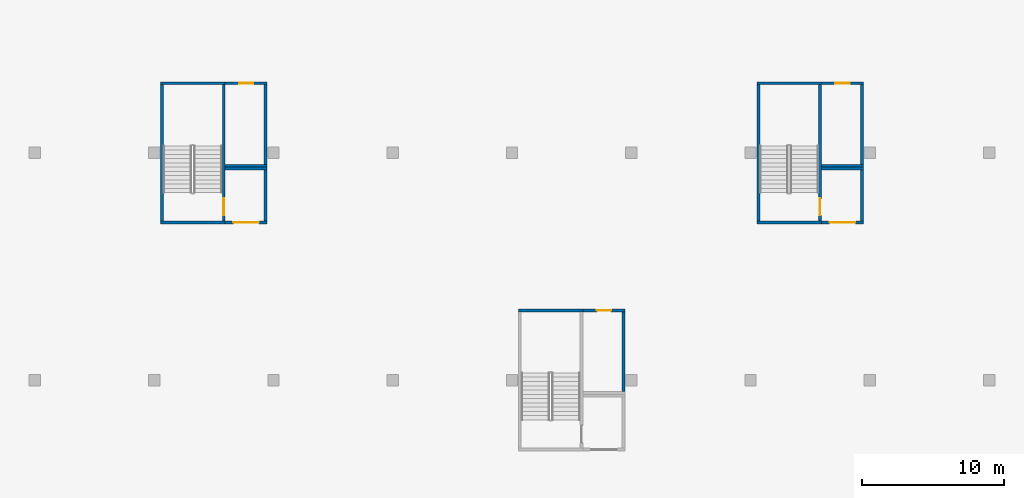
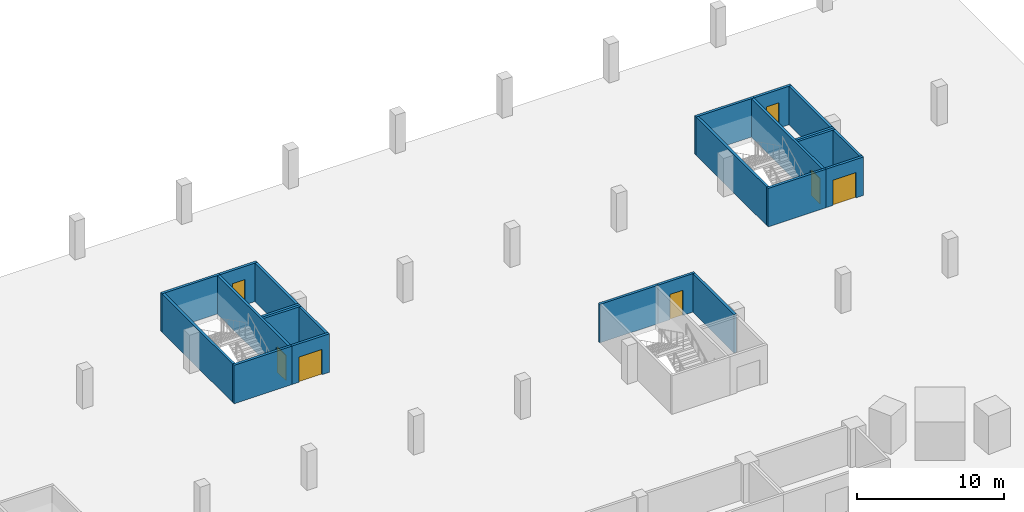
# One storey, part 16 of 37: 23 walls, 7 doors, 7 openings.
"""IFC4 building model written with IfcOpenShell, lengths in metres."""

import ifcopenshell
import ifcopenshell.guid

model = None  # the IFC model being written
_history = None  # IfcOwnerHistory: only IFC2X3 demands one
_inside = {}  # id of a spatial element -> (the spatial element, [elements in it])
_under = {}  # id of a project, library or spatial element -> (it, [spatial elements below it])
_declared = {}  # id of a project -> (the project, [libraries it declares])
_typed = {}  # id of a type object -> (the type object, [elements of that type])
_made_of = {}  # id of a material, layer set ... -> (it, [elements and type objects made of it])


def new_model(schema):
    """Start an empty IFC model of exactly this schema.

    Asked for "IFC4X3", IfcOpenShell would pick the latest addendum, in which some entities
    have other attributes; the version numbers below select the first issue.
    IFC2X3 requires an IfcOwnerHistory on every rooted entity: one is made here for all.
    """
    global model, _history
    if schema == "IFC4X3":
        model = ifcopenshell.file(schema_version=(4, 3, 0, 0))
    else:
        model = ifcopenshell.file(schema=schema)
    _inside.clear()
    _under.clear()
    _declared.clear()
    _typed.clear()
    _made_of.clear()
    _history = None
    if model.schema == "IFC2X3":
        org = make("IfcOrganization", Name="unknown")
        user = make(
            "IfcPersonAndOrganization",
            ThePerson=make("IfcPerson", FamilyName="unknown"),
            TheOrganization=org,
        )
        app = make(
            "IfcApplication",
            ApplicationDeveloper=org,
            Version="unknown",
            ApplicationFullName="unknown",
            ApplicationIdentifier="unknown",
        )
        _history = make(
            "IfcOwnerHistory",
            OwningUser=user,
            OwningApplication=app,
            ChangeAction="ADDED",
            CreationDate=0,
        )
    return model


def make(cls, **values):
    """One entity of the class cls with the attributes given. An attribute that is None is left unset."""
    return model.create_entity(
        cls, **{name: value for name, value in values.items() if value is not None}
    )


def rooted(cls, **values):
    """An entity with a GlobalId (a new one), such as an element, a storey or a relation."""
    return make(cls, GlobalId=ifcopenshell.guid.new(), OwnerHistory=_history, **values)


def si_unit(unit_type, name, prefix=None):
    """IfcSIUnit, for example si_unit("LENGTHUNIT", "METRE", prefix="MILLI")."""
    return make("IfcSIUnit", UnitType=unit_type, Prefix=prefix, Name=name)


def assignment(units):
    """IfcUnitAssignment: the units of a project."""
    return None if units is None else make("IfcUnitAssignment", Units=units)


def point(xyz):
    """IfcCartesianPoint."""
    return None if xyz is None else make("IfcCartesianPoint", Coordinates=xyz)


def direction(xyz):
    """IfcDirection."""
    return None if xyz is None else make("IfcDirection", DirectionRatios=xyz)


def frame(location, z_axis=None, x_axis=None):
    """IfcAxis2Placement3D, a coordinate frame: its origin and axes. An axis left out is left unset."""
    return make(
        "IfcAxis2Placement3D",
        Location=point(location),
        Axis=direction(z_axis),
        RefDirection=direction(x_axis),
    )


def frame_2d(location, x_axis=None):
    """IfcAxis2Placement2D, a coordinate frame in the plane: its origin and x axis."""
    return make(
        "IfcAxis2Placement2D", Location=point(location), RefDirection=direction(x_axis)
    )


def origin():
    """The frame at (0, 0, 0) with its axes left unset."""
    return frame((0.0, 0.0, 0.0))


def place(relative_to, where):
    """IfcLocalPlacement: puts the frame where relative to a parent placement (None: the world)."""
    return make(
        "IfcLocalPlacement", PlacementRelTo=relative_to, RelativePlacement=where
    )


def context(
    kind, dimensions, precision=None, world=None, true_north=None, identifier=None
):
    """IfcGeometricRepresentationContext, for example the 3D "Model" context."""
    return make(
        "IfcGeometricRepresentationContext",
        ContextIdentifier=identifier,
        ContextType=kind,
        CoordinateSpaceDimension=dimensions,
        Precision=precision,
        WorldCoordinateSystem=world,
        TrueNorth=true_north,
    )


def subcontext(parent, identifier, kind, view, scale=None):
    """IfcGeometricRepresentationSubContext, for example "Body" below "Model"."""
    return make(
        "IfcGeometricRepresentationSubContext",
        ContextIdentifier=identifier,
        ContextType=kind,
        ParentContext=parent,
        TargetScale=scale,
        TargetView=view,
    )


def project(units=None, contexts=None):
    """IfcProject with its units and contexts."""
    return rooted(
        "IfcProject",
        Name="project",
        RepresentationContexts=contexts,
        UnitsInContext=assignment(units),
    )


def spatial(cls, under=None, at=None, **own):
    """A site, building, storey or space (cls), placed at a placement, below another one or the project."""
    s = rooted(cls, ObjectPlacement=at, **own)
    if under is not None:
        _under.setdefault(under.id(), (under, []))[1].append(s)
    return s


def profile(cls, at=None, kind="AREA", **sizes):
    """A parametric profile (cls). Its sizes go by their IFC names, for example OverallWidth=200.0."""
    return make(cls, ProfileType=kind, Position=at, **sizes)


def rectangle(**sizes):
    """IfcRectangleProfileDef."""
    return profile("IfcRectangleProfileDef", **sizes)


def extrude(swept, where, along, depth):
    """IfcExtrudedAreaSolid: the profile swept, set in the frame where, extruded along a direction by depth."""
    return make(
        "IfcExtrudedAreaSolid",
        SweptArea=swept,
        Position=where,
        ExtrudedDirection=direction(along),
        Depth=depth,
    )


def shape(context_of_items, identifier, shape_type, items):
    """IfcShapeRepresentation: the items that make up one representation, for example the "Body"."""
    return make(
        "IfcShapeRepresentation",
        ContextOfItems=context_of_items,
        RepresentationIdentifier=identifier,
        RepresentationType=shape_type,
        Items=items,
    )


def material(Name=None, Category=None):
    """IfcMaterial."""
    return make("IfcMaterial", Name=Name, Category=Category)


def layer(
    of_material, thickness, ventilated=None, Name=None, Category=None, Priority=None
):
    """IfcMaterialLayer: one layer of a wall or slab, of a material (None: an air gap)."""
    return make(
        "IfcMaterialLayer",
        Material=of_material,
        LayerThickness=thickness,
        IsVentilated=ventilated,
        Name=Name,
        Category=Category,
        Priority=Priority,
    )


def layer_set(layers, Name=None):
    """IfcMaterialLayerSet."""
    return make("IfcMaterialLayerSet", MaterialLayers=layers, LayerSetName=Name)


def made_of(thing, what):
    """Note that an element or type object is made of a material, layer set ...; save() writes the relation."""
    if what is not None:
        _made_of.setdefault(what.id(), (what, []))[1].append(thing)
    return thing


def type_object(cls, material=None, **own):
    """A type object (cls), such as IfcWallType, which elements share."""
    return made_of(rooted(cls, **own), material)


def element(
    cls,
    number,
    at=None,
    inside=None,
    cuts=None,
    type_object=None,
    material=None,
    context=None,
    identifier="Body",
    shape_type=None,
    held_by="IfcProductDefinitionShape",
    body=None,
    shapes=None,
    **own,
):
    """One element of the class cls, such as IfcWall. Its Tag is "e" and its number.

    at: its placement. inside: the storey or other place that contains it. cuts: it is an
    opening in that element (IfcRelVoidsElement). A single representation is given by context,
    identifier, shape_type and body (its items); several are given by shapes. held_by: the class
    of the entity that holds the representations. save() writes the other relations.
    """
    e = rooted(cls, Tag="e%d" % number, ObjectPlacement=at, **own)
    if body is not None:
        shapes = [shape(context, identifier, shape_type, body)]
    if shapes is not None:
        e.Representation = make(held_by, Representations=shapes)
    if inside is not None:
        _inside.setdefault(inside.id(), (inside, []))[1].append(e)
    if cuts is not None:
        rooted(
            "IfcRelVoidsElement", RelatingBuildingElement=cuts, RelatedOpeningElement=e
        )
    if type_object is not None:
        _typed.setdefault(type_object.id(), (type_object, []))[1].append(e)
    return made_of(e, material)


def fill(opening, filler):
    """IfcRelFillsElement: the door or window that sits in an opening."""
    return rooted(
        "IfcRelFillsElement",
        RelatingOpeningElement=opening,
        RelatedBuildingElement=filler,
    )


def aggregate(whole, parts):
    """IfcRelAggregates: a whole, such as a stair, and the parts it consists of."""
    return rooted("IfcRelAggregates", RelatingObject=whole, RelatedObjects=parts)


def save(model, path):
    """Write the relations noted so far, then the file.

    IfcRelAggregates (storeys below a building ...), IfcRelContainedInSpatialStructure (elements
    in a storey), IfcRelDefinesByType, IfcRelAssociatesMaterial and IfcRelDeclares: one each for
    every whole, place, type object, material and project.
    """
    for whole, parts in _under.values():
        aggregate(whole, parts)
    for where, things in _inside.values():
        rooted(
            "IfcRelContainedInSpatialStructure",
            RelatedElements=things,
            RelatingStructure=where,
        )
    for kind, things in _typed.values():
        rooted("IfcRelDefinesByType", RelatedObjects=things, RelatingType=kind)
    for what, things in _made_of.values():
        rooted("IfcRelAssociatesMaterial", RelatedObjects=things, RelatingMaterial=what)
    for by, libraries in _declared.values():
        rooted("IfcRelDeclares", RelatingContext=by, RelatedDefinitions=libraries)
    model.write(path)


model = new_model("IFC4")

# Units and contexts
model_context = context("Model", 3, precision=1e-05, world=origin(), true_north=direction((0.0, 1.0)))
body_context = subcontext(model_context, "Body", "Model", "MODEL_VIEW")
ifc_project = project(units=[si_unit("LENGTHUNIT", "METRE"), si_unit("AREAUNIT", "SQUARE_METRE"), si_unit("VOLUMEUNIT", "CUBIC_METRE"), si_unit("PLANEANGLEUNIT", "RADIAN"), si_unit("MASSUNIT", "GRAM", prefix="KILO")], contexts=[model_context])

# Site, building, storey
site_placement = place(None, origin())
site = spatial("IfcSite", under=ifc_project, at=site_placement, CompositionType="ELEMENT")
building_placement = place(site_placement, origin())
building = spatial("IfcBuilding", under=site, at=building_placement, Name="Tamra Quay Hotel Tower", CompositionType="ELEMENT")
storey_placement = place(building_placement, frame((0.0, 0.0, -7.199951171875)))
storey = spatial("IfcBuildingStorey", under=building, at=storey_placement, Name="B2", CompositionType="ELEMENT", Elevation=-7.199951171875)

# Wall, opening, door
ifc_material_1 = material(Name="Blockwork", Category="masonry")
ifc_layer_1 = layer(ifc_material_1, 0.199951171875)
ifc_layer_set_1 = layer_set([ifc_layer_1], Name="Car park room wall 200")
wall_type_1 = type_object("IfcWallType", Name="Car park room wall 200", PredefinedType="PARTITIONING", material=ifc_layer_set_1)
wall_1_placement = place(storey_placement, frame((-16.89990234375, 59.10009765625, 0.0), z_axis=(0.0, 0.0, 1.0), x_axis=(1.0, 0.0, 0.0)))
wall_1 = element("IfcWall", 1, at=wall_1_placement, inside=storey, type_object=wall_type_1, Name="PW", PredefinedType="PARTITIONING", context=body_context, shape_type="SweptSolid", body=[
    extrude(rectangle(XDim=2.949951171875, YDim=0.199951171875, at=frame_2d((1.47509765625, 0.0))), origin(), (0.0, 0.0, 1.0), 3.199951171875),
])
opening_1_placement = place(wall_1_placement, frame((0.574951171875, 0.0, 0.0)))
opening_1 = element("IfcOpeningElement", 2, at=opening_1_placement, cuts=wall_1, Name="Opening PD2", PredefinedType="OPENING", context=body_context, shape_type="SweptSolid", body=[
    extrude(rectangle(XDim=1.800048828125, YDim=2.10009765625, at=frame_2d((0.89990234375, 1.050048828125))), frame((0.0, 0.10986328125, 0.0), z_axis=(0.0, -1.0, 0.0), x_axis=(1.0, 0.0, 0.0)), (0.0, 0.0, 1.0), 0.219970703125),
])
ifc_material_2 = material(Name="Plant door 1800 x 2100")
door_type_1 = type_object("IfcDoorType", Name="Plant door 1800 x 2100", OperationType="DOUBLE_DOOR_SINGLE_SWING", PredefinedType="DOOR", material=ifc_material_2)
door_1_placement = place(opening_1_placement, origin())
door_1 = element("IfcDoor", 3, at=door_1_placement, inside=storey, type_object=door_type_1, Name="PD2", OperationType="DOUBLE_DOOR_SINGLE_SWING", OverallHeight=2.10009765625, OverallWidth=1.800048828125, PredefinedType="DOOR", context=body_context, shape_type="SweptSolid", body=[
    extrude(rectangle(XDim=1.800048828125, YDim=2.10009765625, at=frame_2d((0.89990234375, 1.050048828125))), frame((0.0, 0.02490234375, 0.0), z_axis=(0.0, -1.0, 0.0), x_axis=(1.0, 0.0, 0.0)), (0.0, 0.0, 1.0), 0.050048828125),
])
fill(opening_1, door_1)

# Walls
wall_2_placement = place(storey_placement, frame((-16.89990234375, 62.89990234375, 0.0), z_axis=(0.0, 0.0, 1.0), x_axis=(1.0, 0.0, 0.0)))
element("IfcWall", 4, at=wall_2_placement, inside=storey, type_object=wall_type_1, Name="PW", PredefinedType="PARTITIONING", context=body_context, shape_type="SweptSolid", body=[
    extrude(rectangle(XDim=2.949951171875, YDim=0.199951171875, at=frame_2d((1.47509765625, 0.0))), origin(), (0.0, 0.0, 1.0), 3.199951171875),
])
wall_3_placement = place(storey_placement, frame((-14.050048828125, 59.199951171875, 0.0), z_axis=(0.0, 0.0, 1.0), x_axis=(0.0, 1.0, 0.0)))
element("IfcWall", 5, at=wall_3_placement, inside=storey, type_object=wall_type_1, Name="PW", PredefinedType="PARTITIONING", context=body_context, shape_type="SweptSolid", body=[
    extrude(rectangle(XDim=3.60009765625, YDim=0.199951171875, at=frame_2d((1.800048828125, 0.0))), origin(), (0.0, 0.0, 1.0), 3.199951171875),
])
wall_4_placement = place(storey_placement, frame((-16.89990234375, 63.10009765625, 0.0), z_axis=(0.0, 0.0, 1.0), x_axis=(1.0, 0.0, 0.0)))
element("IfcWall", 6, at=wall_4_placement, inside=storey, type_object=wall_type_1, Name="PW", PredefinedType="PARTITIONING", context=body_context, shape_type="SweptSolid", body=[
    extrude(rectangle(XDim=2.949951171875, YDim=0.199951171875, at=frame_2d((1.47509765625, 0.0))), origin(), (0.0, 0.0, 1.0), 3.199951171875),
])

# Wall, opening, door
wall_5_placement = place(storey_placement, frame((-16.89990234375, 68.89990234375, 0.0), z_axis=(0.0, 0.0, 1.0), x_axis=(1.0, 0.0, 0.0)))
wall_5 = element("IfcWall", 7, at=wall_5_placement, inside=storey, type_object=wall_type_1, Name="PW", PredefinedType="PARTITIONING", context=body_context, shape_type="SweptSolid", body=[
    extrude(rectangle(XDim=2.949951171875, YDim=0.199951171875, at=frame_2d((1.47509765625, 0.0))), origin(), (0.0, 0.0, 1.0), 3.199951171875),
])
opening_2_placement = place(wall_5_placement, frame((0.97509765625, 0.0, 0.0)))
opening_2 = element("IfcOpeningElement", 8, at=opening_2_placement, cuts=wall_5, Name="Opening PD1", PredefinedType="OPENING", context=body_context, shape_type="SweptSolid", body=[
    extrude(rectangle(XDim=1.0, YDim=2.10009765625, at=frame_2d((0.5, 1.050048828125))), frame((0.0, 0.10986328125, 0.0), z_axis=(0.0, -1.0, 0.0), x_axis=(1.0, 0.0, 0.0)), (0.0, 0.0, 1.0), 0.219970703125),
])
ifc_material_3 = material(Name="Car park door 1000 x 2100")
door_type_2 = type_object("IfcDoorType", Name="Car park door 1000 x 2100", OperationType="NOTDEFINED", PredefinedType="DOOR", material=ifc_material_3)
door_2_placement = place(opening_2_placement, origin())
door_2 = element("IfcDoor", 9, at=door_2_placement, inside=storey, type_object=door_type_2, Name="PD1", OperationType="SINGLE_SWING_LEFT", OverallHeight=2.10009765625, OverallWidth=1.0, PredefinedType="DOOR", context=body_context, shape_type="SweptSolid", body=[
    extrude(rectangle(XDim=1.0, YDim=2.10009765625, at=frame_2d((0.5, 1.050048828125))), frame((0.0, 0.02490234375, 0.0), z_axis=(0.0, -1.0, 0.0), x_axis=(1.0, 0.0, 0.0)), (0.0, 0.0, 1.0), 0.050048828125),
])
fill(opening_2, door_2)

# Wall
wall_6_placement = place(storey_placement, frame((-14.050048828125, 63.199951171875, 0.0), z_axis=(0.0, 0.0, 1.0), x_axis=(0.0, 1.0, 0.0)))
element("IfcWall", 10, at=wall_6_placement, inside=storey, type_object=wall_type_1, Name="PW", PredefinedType="PARTITIONING", context=body_context, shape_type="SweptSolid", body=[
    extrude(rectangle(XDim=5.60009765625, YDim=0.199951171875, at=frame_2d((2.800048828125, 0.0))), origin(), (0.0, 0.0, 1.0), 3.199951171875),
])

# Wall, opening, door
wall_7_placement = place(storey_placement, frame((8.300048828125, 52.89990234375, 0.0), z_axis=(0.0, 0.0, 1.0), x_axis=(1.0, 0.0, 0.0)))
wall_7 = element("IfcWall", 11, at=wall_7_placement, inside=storey, type_object=wall_type_1, Name="PW", PredefinedType="PARTITIONING", context=body_context, shape_type="SweptSolid", body=[
    extrude(rectangle(XDim=2.949951171875, YDim=0.199951171875, at=frame_2d((1.47509765625, 0.0))), origin(), (0.0, 0.0, 1.0), 3.199951171875),
])
opening_3_placement = place(wall_7_placement, frame((0.97509765625, 0.0, 0.0)))
opening_3 = element("IfcOpeningElement", 12, at=opening_3_placement, cuts=wall_7, Name="Opening PD1", PredefinedType="OPENING", context=body_context, shape_type="SweptSolid", body=[
    extrude(rectangle(XDim=1.0, YDim=2.10009765625, at=frame_2d((0.5, 1.050048828125))), frame((0.0, 0.10986328125, 0.0), z_axis=(0.0, -1.0, 0.0), x_axis=(1.0, 0.0, 0.0)), (0.0, 0.0, 1.0), 0.219970703125),
])
door_3_placement = place(opening_3_placement, origin())
door_3 = element("IfcDoor", 13, at=door_3_placement, inside=storey, type_object=door_type_2, Name="PD1", OperationType="SINGLE_SWING_LEFT", OverallHeight=2.10009765625, OverallWidth=1.0, PredefinedType="DOOR", context=body_context, shape_type="SweptSolid", body=[
    extrude(rectangle(XDim=1.0, YDim=2.10009765625, at=frame_2d((0.5, 1.050048828125))), frame((0.0, 0.02490234375, 0.0), z_axis=(0.0, -1.0, 0.0), x_axis=(1.0, 0.0, 0.0)), (0.0, 0.0, 1.0), 0.050048828125),
])
fill(opening_3, door_3)

# Wall
wall_8_placement = place(storey_placement, frame((11.14990234375, 47.199951171875, 0.0), z_axis=(0.0, 0.0, 1.0), x_axis=(0.0, 1.0, 0.0)))
element("IfcWall", 14, at=wall_8_placement, inside=storey, type_object=wall_type_1, Name="PW", PredefinedType="PARTITIONING", context=body_context, shape_type="SweptSolid", body=[
    extrude(rectangle(XDim=5.60009765625, YDim=0.199951171875, at=frame_2d((2.800048828125, 0.0))), origin(), (0.0, 0.0, 1.0), 3.199951171875),
])

# Wall, opening, door
wall_9_placement = place(storey_placement, frame((25.10009765625, 59.10009765625, 0.0), z_axis=(0.0, 0.0, 1.0), x_axis=(1.0, 0.0, 0.0)))
wall_9 = element("IfcWall", 15, at=wall_9_placement, inside=storey, type_object=wall_type_1, Name="PW", PredefinedType="PARTITIONING", context=body_context, shape_type="SweptSolid", body=[
    extrude(rectangle(XDim=2.949951171875, YDim=0.199951171875, at=frame_2d((1.47509765625, 0.0))), origin(), (0.0, 0.0, 1.0), 3.199951171875),
])
opening_4_placement = place(wall_9_placement, frame((0.574951171875, 0.0, 0.0)))
opening_4 = element("IfcOpeningElement", 16, at=opening_4_placement, cuts=wall_9, Name="Opening PD2", PredefinedType="OPENING", context=body_context, shape_type="SweptSolid", body=[
    extrude(rectangle(XDim=1.800048828125, YDim=2.10009765625, at=frame_2d((0.89990234375, 1.050048828125))), frame((0.0, 0.10986328125, 0.0), z_axis=(0.0, -1.0, 0.0), x_axis=(1.0, 0.0, 0.0)), (0.0, 0.0, 1.0), 0.219970703125),
])
door_4_placement = place(opening_4_placement, origin())
door_4 = element("IfcDoor", 17, at=door_4_placement, inside=storey, type_object=door_type_1, Name="PD2", OperationType="DOUBLE_DOOR_SINGLE_SWING", OverallHeight=2.10009765625, OverallWidth=1.800048828125, PredefinedType="DOOR", context=body_context, shape_type="SweptSolid", body=[
    extrude(rectangle(XDim=1.800048828125, YDim=2.10009765625, at=frame_2d((0.89990234375, 1.050048828125))), frame((0.0, 0.02490234375, 0.0), z_axis=(0.0, -1.0, 0.0), x_axis=(1.0, 0.0, 0.0)), (0.0, 0.0, 1.0), 0.050048828125),
])
fill(opening_4, door_4)

# Walls
wall_10_placement = place(storey_placement, frame((25.10009765625, 62.89990234375, 0.0), z_axis=(0.0, 0.0, 1.0), x_axis=(1.0, 0.0, 0.0)))
element("IfcWall", 18, at=wall_10_placement, inside=storey, type_object=wall_type_1, Name="PW", PredefinedType="PARTITIONING", context=body_context, shape_type="SweptSolid", body=[
    extrude(rectangle(XDim=2.949951171875, YDim=0.199951171875, at=frame_2d((1.47509765625, 0.0))), origin(), (0.0, 0.0, 1.0), 3.199951171875),
])
wall_11_placement = place(storey_placement, frame((27.949951171875, 59.199951171875, 0.0), z_axis=(0.0, 0.0, 1.0), x_axis=(0.0, 1.0, 0.0)))
element("IfcWall", 19, at=wall_11_placement, inside=storey, type_object=wall_type_1, Name="PW", PredefinedType="PARTITIONING", context=body_context, shape_type="SweptSolid", body=[
    extrude(rectangle(XDim=3.60009765625, YDim=0.199951171875, at=frame_2d((1.800048828125, 0.0))), origin(), (0.0, 0.0, 1.0), 3.199951171875),
])
wall_12_placement = place(storey_placement, frame((25.10009765625, 63.10009765625, 0.0), z_axis=(0.0, 0.0, 1.0), x_axis=(1.0, 0.0, 0.0)))
element("IfcWall", 20, at=wall_12_placement, inside=storey, type_object=wall_type_1, Name="PW", PredefinedType="PARTITIONING", context=body_context, shape_type="SweptSolid", body=[
    extrude(rectangle(XDim=2.949951171875, YDim=0.199951171875, at=frame_2d((1.47509765625, 0.0))), origin(), (0.0, 0.0, 1.0), 3.199951171875),
])

# Wall, opening, door
wall_13_placement = place(storey_placement, frame((25.10009765625, 68.89990234375, 0.0), z_axis=(0.0, 0.0, 1.0), x_axis=(1.0, 0.0, 0.0)))
wall_13 = element("IfcWall", 21, at=wall_13_placement, inside=storey, type_object=wall_type_1, Name="PW", PredefinedType="PARTITIONING", context=body_context, shape_type="SweptSolid", body=[
    extrude(rectangle(XDim=2.949951171875, YDim=0.199951171875, at=frame_2d((1.47509765625, 0.0))), origin(), (0.0, 0.0, 1.0), 3.199951171875),
])
opening_5_placement = place(wall_13_placement, frame((0.97509765625, 0.0, 0.0)))
opening_5 = element("IfcOpeningElement", 22, at=opening_5_placement, cuts=wall_13, Name="Opening PD1", PredefinedType="OPENING", context=body_context, shape_type="SweptSolid", body=[
    extrude(rectangle(XDim=1.0, YDim=2.10009765625, at=frame_2d((0.5, 1.050048828125))), frame((0.0, 0.10986328125, 0.0), z_axis=(0.0, -1.0, 0.0), x_axis=(1.0, 0.0, 0.0)), (0.0, 0.0, 1.0), 0.219970703125),
])
door_5_placement = place(opening_5_placement, origin())
door_5 = element("IfcDoor", 23, at=door_5_placement, inside=storey, type_object=door_type_2, Name="PD1", OperationType="SINGLE_SWING_LEFT", OverallHeight=2.10009765625, OverallWidth=1.0, PredefinedType="DOOR", context=body_context, shape_type="SweptSolid", body=[
    extrude(rectangle(XDim=1.0, YDim=2.10009765625, at=frame_2d((0.5, 1.050048828125))), frame((0.0, 0.02490234375, 0.0), z_axis=(0.0, -1.0, 0.0), x_axis=(1.0, 0.0, 0.0)), (0.0, 0.0, 1.0), 0.050048828125),
])
fill(opening_5, door_5)

# Walls
wall_14_placement = place(storey_placement, frame((27.949951171875, 63.199951171875, 0.0), z_axis=(0.0, 0.0, 1.0), x_axis=(0.0, 1.0, 0.0)))
element("IfcWall", 24, at=wall_14_placement, inside=storey, type_object=wall_type_1, Name="PW", PredefinedType="PARTITIONING", context=body_context, shape_type="SweptSolid", body=[
    extrude(rectangle(XDim=5.60009765625, YDim=0.199951171875, at=frame_2d((2.800048828125, 0.0))), origin(), (0.0, 0.0, 1.0), 3.199951171875),
])
ifc_material_4 = material(Name="Concrete M70", Category="concrete")
ifc_layer_2 = layer(ifc_material_4, 0.199951171875)
ifc_layer_set_2 = layer_set([ifc_layer_2], Name="Concrete M70 stair enclosure wall 200")
wall_type_2 = type_object("IfcWallType", Name="Concrete M70 stair enclosure wall 200", PredefinedType="SOLIDWALL", material=ifc_layer_set_2)
wall_15_placement = place(storey_placement, frame((-21.35009765625, 59.199951171875, 0.0), z_axis=(0.0, 0.0, 1.0), x_axis=(0.0, 1.0, 0.0)))
element("IfcWall", 25, at=wall_15_placement, inside=storey, type_object=wall_type_2, Name="SEW", PredefinedType="SOLIDWALL", context=body_context, shape_type="SweptSolid", body=[
    extrude(rectangle(XDim=9.60009765625, YDim=0.199951171875, at=frame_2d((4.800048828125, 0.0))), origin(), (0.0, 0.0, 1.0), 3.199951171875),
])

# Wall, opening, door
wall_16_placement = place(storey_placement, frame((-17.0, 59.199951171875, 0.0), z_axis=(0.0, 0.0, 1.0), x_axis=(0.0, 1.0, 0.0)))
wall_16 = element("IfcWall", 26, at=wall_16_placement, inside=storey, type_object=wall_type_2, Name="SEW", PredefinedType="SOLIDWALL", context=body_context, shape_type="SweptSolid", body=[
    extrude(rectangle(XDim=9.60009765625, YDim=0.199951171875, at=frame_2d((4.800048828125, 0.0))), origin(), (0.0, 0.0, 1.0), 3.199951171875),
])
opening_6_placement = place(wall_16_placement, frame((0.39990234375, 0.0, 0.0)))
opening_6 = element("IfcOpeningElement", 27, at=opening_6_placement, cuts=wall_16, Name="Opening SD1", PredefinedType="OPENING", context=body_context, shape_type="SweptSolid", body=[
    extrude(rectangle(XDim=1.199951171875, YDim=2.10009765625, at=frame_2d((0.60009765625, 1.050048828125))), frame((0.0, 0.10986328125, 0.0), z_axis=(0.0, -1.0, 0.0), x_axis=(1.0, 0.0, 0.0)), (0.0, 0.0, 1.0), 0.219970703125),
])
ifc_material_5 = material(Name="Stair door 1200 x 2100")
door_type_3 = type_object("IfcDoorType", Name="Stair door 1200 x 2100", OperationType="NOTDEFINED", PredefinedType="DOOR", material=ifc_material_5)
door_6_placement = place(opening_6_placement, origin())
door_6 = element("IfcDoor", 28, at=door_6_placement, inside=storey, type_object=door_type_3, Name="SD1", OperationType="SINGLE_SWING_LEFT", OverallHeight=2.10009765625, OverallWidth=1.199951171875, PredefinedType="DOOR", context=body_context, shape_type="SweptSolid", body=[
    extrude(rectangle(XDim=1.199951171875, YDim=2.10009765625, at=frame_2d((0.60009765625, 1.050048828125))), frame((0.0, 0.02490234375, 0.0), z_axis=(0.0, -1.0, 0.0), x_axis=(1.0, 0.0, 0.0)), (0.0, 0.0, 1.0), 0.050048828125),
])
fill(opening_6, door_6)

# Walls
for number, where, z_axis, x_axis, name in (
    (29, (-16.89990234375, 59.10009765625, 0.0), (0.0, 0.0, 1.0), (-1.0, 0.0, 0.0), "SEW"),
    (30, (-21.449951171875, 68.89990234375, 0.0), (0.0, 0.0, 1.0), (1.0, 0.0, 0.0), "SEW"),
    (31, (3.75, 52.89990234375, 0.0), (0.0, 0.0, 1.0), (1.0, 0.0, 0.0), "SEW"),
):
    element("IfcWall", number, at=place(storey_placement, frame(where, z_axis=z_axis, x_axis=x_axis)), inside=storey, type_object=wall_type_2, Name=name, PredefinedType="SOLIDWALL", context=body_context, shape_type="SweptSolid", body=[
        extrude(rectangle(XDim=4.550048828125, YDim=0.199951171875, at=frame_2d((2.27490234375, 0.0))), origin(), (0.0, 0.0, 1.0), 3.199951171875),
    ])
wall_17_placement = place(storey_placement, frame((20.64990234375, 59.199951171875, 0.0), z_axis=(0.0, 0.0, 1.0), x_axis=(0.0, 1.0, 0.0)))
element("IfcWall", 32, at=wall_17_placement, inside=storey, type_object=wall_type_2, Name="SEW", PredefinedType="SOLIDWALL", context=body_context, shape_type="SweptSolid", body=[
    extrude(rectangle(XDim=9.60009765625, YDim=0.199951171875, at=frame_2d((4.800048828125, 0.0))), origin(), (0.0, 0.0, 1.0), 3.199951171875),
])

# Wall, opening, door
wall_18_placement = place(storey_placement, frame((25.0, 59.199951171875, 0.0), z_axis=(0.0, 0.0, 1.0), x_axis=(0.0, 1.0, 0.0)))
wall_18 = element("IfcWall", 33, at=wall_18_placement, inside=storey, type_object=wall_type_2, Name="SEW", PredefinedType="SOLIDWALL", context=body_context, shape_type="SweptSolid", body=[
    extrude(rectangle(XDim=9.60009765625, YDim=0.199951171875, at=frame_2d((4.800048828125, 0.0))), origin(), (0.0, 0.0, 1.0), 3.199951171875),
])
opening_7_placement = place(wall_18_placement, frame((0.39990234375, 0.0, 0.0)))
opening_7 = element("IfcOpeningElement", 34, at=opening_7_placement, cuts=wall_18, Name="Opening SD1", PredefinedType="OPENING", context=body_context, shape_type="SweptSolid", body=[
    extrude(rectangle(XDim=1.199951171875, YDim=2.10009765625, at=frame_2d((0.60009765625, 1.050048828125))), frame((0.0, 0.10986328125, 0.0), z_axis=(0.0, -1.0, 0.0), x_axis=(1.0, 0.0, 0.0)), (0.0, 0.0, 1.0), 0.219970703125),
])
door_7_placement = place(opening_7_placement, origin())
door_7 = element("IfcDoor", 35, at=door_7_placement, inside=storey, type_object=door_type_3, Name="SD1", OperationType="SINGLE_SWING_LEFT", OverallHeight=2.10009765625, OverallWidth=1.199951171875, PredefinedType="DOOR", context=body_context, shape_type="SweptSolid", body=[
    extrude(rectangle(XDim=1.199951171875, YDim=2.10009765625, at=frame_2d((0.60009765625, 1.050048828125))), frame((0.0, 0.02490234375, 0.0), z_axis=(0.0, -1.0, 0.0), x_axis=(1.0, 0.0, 0.0)), (0.0, 0.0, 1.0), 0.050048828125),
])
fill(opening_7, door_7)

# Walls
for number, where, z_axis, x_axis, name in (
    (36, (25.10009765625, 59.10009765625, 0.0), (0.0, 0.0, 1.0), (-1.0, 0.0, 0.0), "SEW"),
    (37, (20.550048828125, 68.89990234375, 0.0), (0.0, 0.0, 1.0), (1.0, 0.0, 0.0), "SEW"),
):
    element("IfcWall", number, at=place(storey_placement, frame(where, z_axis=z_axis, x_axis=x_axis)), inside=storey, type_object=wall_type_2, Name=name, PredefinedType="SOLIDWALL", context=body_context, shape_type="SweptSolid", body=[
        extrude(rectangle(XDim=4.550048828125, YDim=0.199951171875, at=frame_2d((2.27490234375, 0.0))), origin(), (0.0, 0.0, 1.0), 3.199951171875),
    ])

save(model, "model.ifc")
